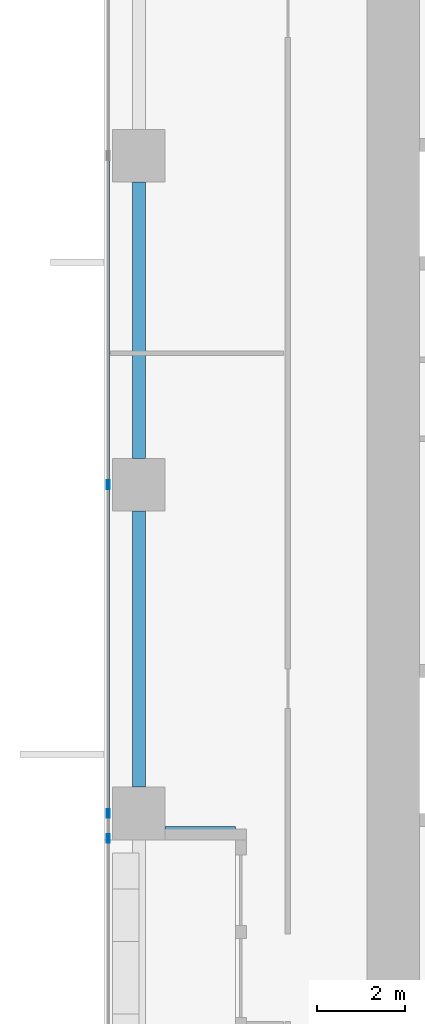
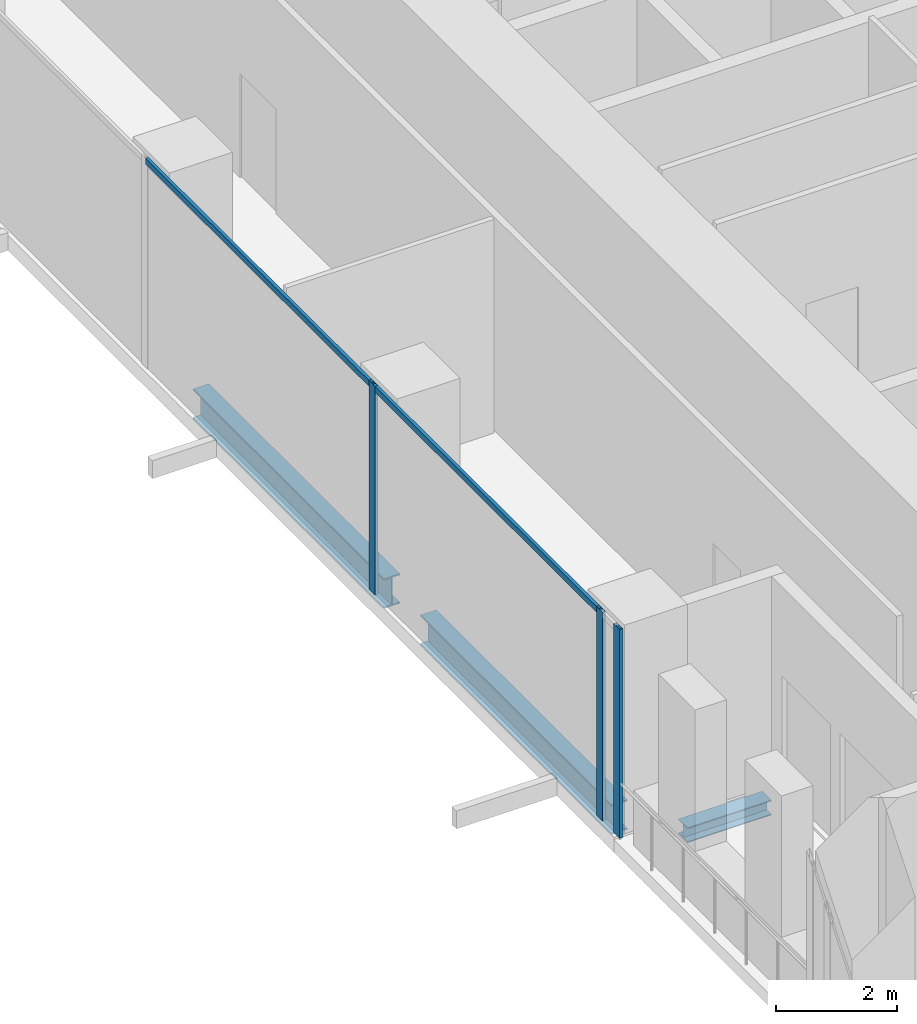
# One storey, part 5 of 33: 5 members, 3 beams, 1 element without a shape of its own.
"""IFC4 building model written with IfcOpenShell, lengths in metres."""

from ifc_helpers import new_model, si_unit, direction, frame, origin, origin_2d, place, context, subcontext, project, spatial, hollow_rectangle, i_section, extrude, source, transform, mapped, material, material_profile, profile_set, type_object, element, aggregate, save


model = new_model("IFC4")

# Units and contexts
model_context = context("Model", 3, precision=1e-05, world=origin(), true_north=direction((0.0, 1.0)))
body_context = subcontext(model_context, "Body", "Model", "MODEL_VIEW")
ifc_project = project(units=[si_unit("LENGTHUNIT", "METRE"), si_unit("AREAUNIT", "SQUARE_METRE"), si_unit("VOLUMEUNIT", "CUBIC_METRE"), si_unit("PLANEANGLEUNIT", "RADIAN"), si_unit("MASSUNIT", "GRAM", prefix="KILO")], contexts=[model_context])

# Site, building, storey
site_placement = place(None, origin())
site = spatial("IfcSite", under=ifc_project, at=site_placement, CompositionType="ELEMENT")
building_placement = place(site_placement, origin())
building = spatial("IfcBuilding", under=site, at=building_placement, Name="Khomas Fold Tower", CompositionType="ELEMENT")
storey_placement = place(building_placement, frame((0.0, 0.0, 55.5)))
storey = spatial("IfcBuildingStorey", under=building, at=storey_placement, Name="L11", CompositionType="ELEMENT", Elevation=55.5)

# Beams
ifc_material_1 = material(Name="Steel S355", Category="steel")
ifc_material_profile_1 = material_profile(ifc_material_1, i_section(OverallWidth=0.300048828125, OverallDepth=0.60009765625, WebThickness=0.015380859375, FlangeThickness=0.030029296875, at=origin_2d()), Name="HE 600 B")
ifc_profile_set_1 = profile_set([ifc_material_profile_1], Name="Steel S355")
beam_type_1 = type_object("IfcBeamType", Name="HE 600 B spandrel SB1", PredefinedType="SPANDREL", material=ifc_profile_set_1)
shared_shape_1 = source(origin(), body_context, "Body", "SweptSolid", [
    extrude(i_section(OverallWidth=0.300048828125, OverallDepth=0.60009765625, WebThickness=0.015380859375, FlangeThickness=0.030029296875, at=origin_2d()), origin(), (0.0, 0.0, 1.0), 6.2998046875),
])
for number, where, z_axis, x_axis, name in (
    (1, (0.800048828125, 27.60009765625, -0.60009765625), (0.0, 1.0, 0.0), (-1.0, 0.0, 0.0), "SB1"),
    (2, (0.800048828125, 20.10009765625, -0.60009765625), (0.0, 1.0, 0.0), (-1.0, 0.0, 0.0), "SB1"),
):
    element("IfcBeam", number, at=place(storey_placement, frame(where, z_axis=z_axis, x_axis=x_axis)), inside=storey, type_object=beam_type_1, Name=name, PredefinedType="SPANDREL", context=body_context, shape_type="MappedRepresentation", body=[
        mapped(shared_shape_1, transform((0.0, 0.0, 0.0))),
    ])
ifc_material_2 = material(Name="Steel S355", Category="steel")
ifc_material_profile_2 = material_profile(ifc_material_2, i_section(OverallWidth=0.300048828125, OverallDepth=0.300048828125, WebThickness=0.010986328125, FlangeThickness=0.01904296875, at=origin_2d()), Name="HE 300 B")
ifc_profile_set_2 = profile_set([ifc_material_profile_2], Name="Steel S355")
beam_type_2 = type_object("IfcBeamType", Name="HE 300 B beam BB1", PredefinedType="BEAM", material=ifc_profile_set_2)
shared_shape_2 = source(origin(), body_context, "Body", "SweptSolid", [
    extrude(i_section(OverallWidth=0.300048828125, OverallDepth=0.300048828125, WebThickness=0.010986328125, FlangeThickness=0.01904296875, at=origin_2d()), origin(), (0.0, 0.0, 1.0), 1.60009765625),
])
beam_placement = place(storey_placement, frame((1.39990234375, 19.050048828125, -0.449951171875), z_axis=(1.0, 0.0, 0.0), x_axis=(0.0, 1.0, 0.0)))
element("IfcBeam", 3, at=beam_placement, inside=storey, type_object=beam_type_2, Name="BB1", PredefinedType="BEAM", context=body_context, shape_type="MappedRepresentation", body=[
    mapped(shared_shape_2, transform((0.0, 0.0, 0.0))),
])

# Curtain wall, members
ifc_material_3 = material(Name="Aluminium framed double glazing", Category="aluminium")
curtain_wall_type = type_object("IfcCurtainWallType", Name="SK-Unitised clear-glass wall, growing floors CW1", PredefinedType="NOTDEFINED", material=ifc_material_3)
curtain_wall_placement = place(storey_placement, origin())
curtain_wall = element("IfcCurtainWall", 4, at=curtain_wall_placement, inside=storey, type_object=curtain_wall_type, Name="CW1 run L11 09-0", PredefinedType="NOTDEFINED")
ifc_material_4 = material(Name="Aluminium", Category="aluminium")
ifc_material_profile_3 = material_profile(ifc_material_4, hollow_rectangle(XDim=0.06005859375, YDim=0.1201171875, WallThickness=0.00390625, at=origin_2d()), Name="SK-Unitised clear-glass wall, growing floors transom CW1-T")
ifc_profile_set_3 = profile_set([ifc_material_profile_3], Name="Aluminium")
member_type_1 = type_object("IfcMemberType", Name="SK-Unitised clear-glass wall, growing floors transom CW1-T", PredefinedType="USERDEFINED", material=ifc_profile_set_3)
shared_shape_3 = source(origin(), body_context, "Body", "SweptSolid", [
    extrude(hollow_rectangle(XDim=0.06005859375, YDim=0.1201171875, WallThickness=0.00390625, at=origin_2d()), origin(), (0.0, 0.0, 1.0), 7.43994140625),
])
member_1_placement = place(storey_placement, frame((0.10009765625, 34.469970703125, 4.139892578125), z_axis=(0.0, -1.0, 0.0), x_axis=(1.0, 0.0, 0.0)))
member_1 = element("IfcMember", 5, at=member_1_placement, type_object=member_type_1, Name="CW1 transom 4", ObjectType="TRANSOM", PredefinedType="USERDEFINED", context=body_context, shape_type="MappedRepresentation", body=[
    mapped(shared_shape_3, transform((0.0, 0.0, 0.0))),
])
member_2_placement = place(storey_placement, frame((0.10009765625, 26.969970703125, 4.139892578125), z_axis=(0.0, -1.0, 0.0), x_axis=(1.0, 0.0, 0.0)))
member_2 = element("IfcMember", 6, at=member_2_placement, type_object=member_type_1, Name="CW1 transom 5", ObjectType="TRANSOM", PredefinedType="USERDEFINED", context=body_context, shape_type="MappedRepresentation", body=[
    mapped(shared_shape_3, transform((0.0, 0.0, 0.0))),
])
ifc_material_5 = material(Name="Aluminium", Category="aluminium")
ifc_material_profile_4 = material_profile(ifc_material_5, hollow_rectangle(XDim=0.06005859375, YDim=0.199951171875, WallThickness=0.00390625, at=origin_2d()), Name="SK-Unitised clear-glass wall, growing floors mullion CW1-M")
ifc_profile_set_4 = profile_set([ifc_material_profile_4], Name="Aluminium")
member_type_2 = type_object("IfcMemberType", Name="SK-Unitised clear-glass wall, growing floors mullion CW1-M", PredefinedType="MULLION", material=ifc_profile_set_4)
shared_shape_4 = source(origin(), body_context, "Body", "SweptSolid", [
    extrude(hollow_rectangle(XDim=0.06005859375, YDim=0.199951171875, WallThickness=0.00390625, at=origin_2d()), origin(), (0.0, 0.0, 1.0), 4.199951171875),
])
member_3_placement = place(storey_placement, frame((0.10009765625, 27.0, 0.0), z_axis=(0.0, 0.0, 1.0), x_axis=(1.0, 0.0, 0.0)))
member_3 = element("IfcMember", 7, at=member_3_placement, type_object=member_type_2, Name="CW1 mullion 5", PredefinedType="MULLION", context=body_context, shape_type="MappedRepresentation", body=[
    mapped(shared_shape_4, transform((0.0, 0.0, 0.0))),
])
member_4_placement = place(storey_placement, frame((0.10009765625, 19.5, 0.0), z_axis=(0.0, 0.0, 1.0), x_axis=(1.0, 0.0, 0.0)))
member_4 = element("IfcMember", 8, at=member_4_placement, type_object=member_type_2, Name="CW1 mullion 6", PredefinedType="MULLION", context=body_context, shape_type="MappedRepresentation", body=[
    mapped(shared_shape_4, transform((0.0, 0.0, 0.0))),
])
member_5_placement = place(storey_placement, frame((0.10009765625, 18.929931640625, 0.0), z_axis=(0.0, 0.0, 1.0), x_axis=(1.0, 0.0, 0.0)))
member_5 = element("IfcMember", 9, at=member_5_placement, type_object=member_type_2, Name="CW1 mullion 7", PredefinedType="MULLION", context=body_context, shape_type="MappedRepresentation", body=[
    mapped(shared_shape_4, transform((0.0, 0.0, 0.0))),
])
aggregate(curtain_wall, [member_3, member_4, member_5, member_1, member_2])

save(model, "model.ifc")
